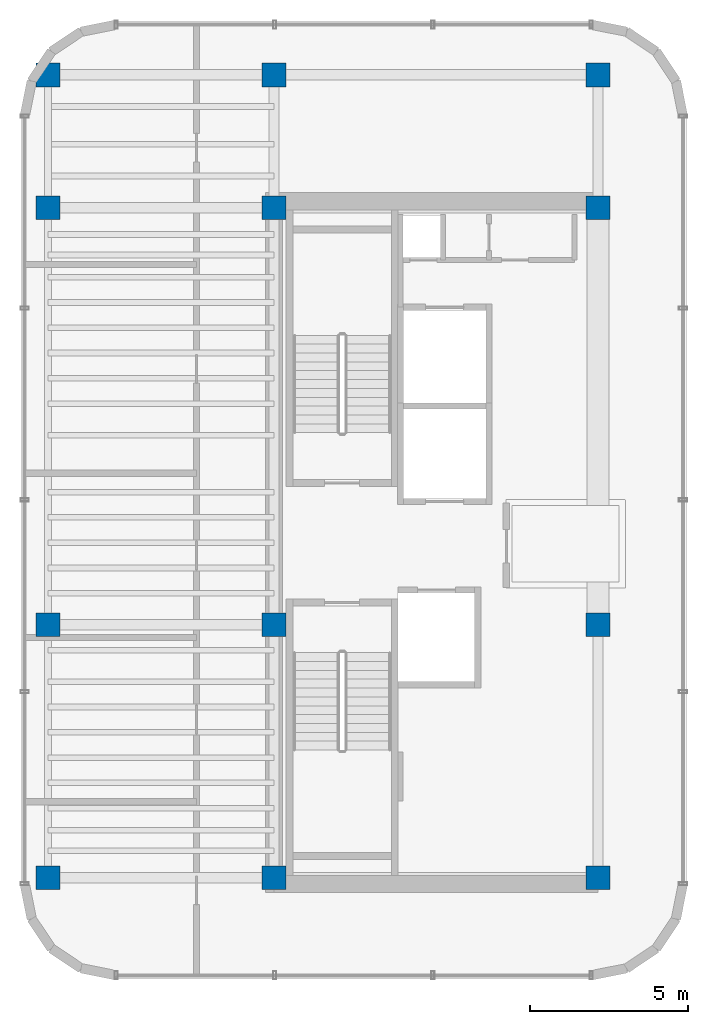
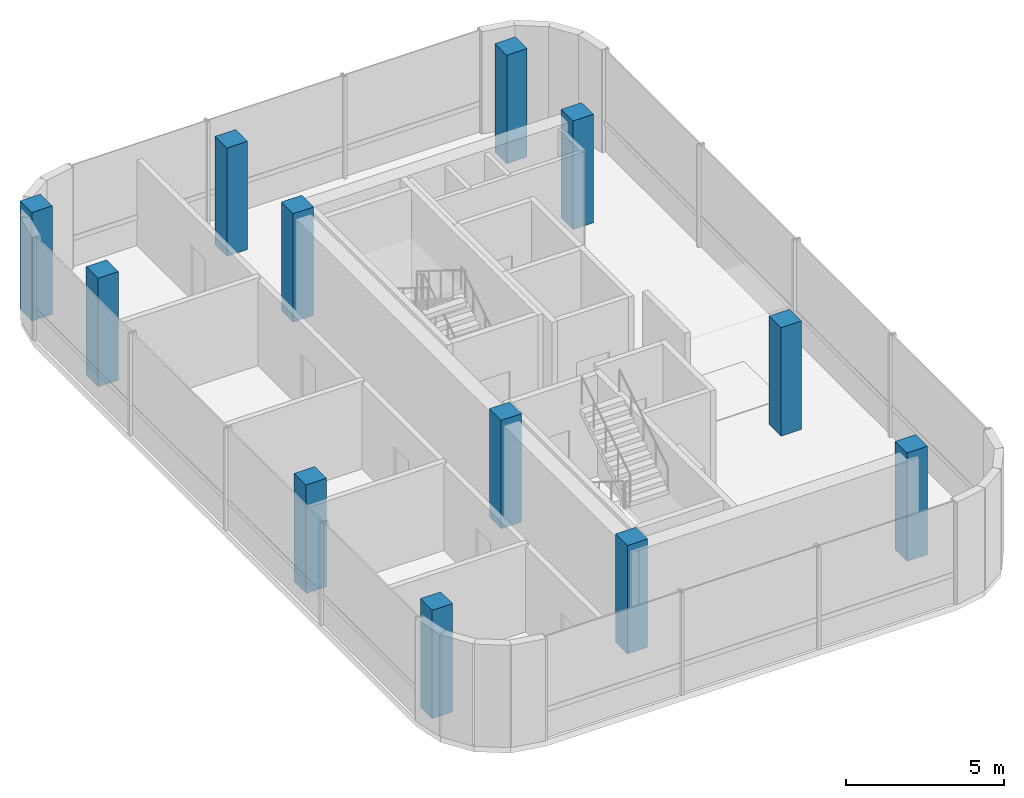
# One storey, part 1 of 11: 12 columns.
"""IFC4 building model written with IfcOpenShell, lengths in metres."""

from ifc_helpers import new_model, si_unit, direction, frame, origin, origin_2d, place, context, subcontext, project, spatial, rectangle, extrude, source, transform, mapped, material, material_profile, profile_set, type_object, element, save


model = new_model("IFC4")

# Units and contexts
model_context = context("Model", 3, precision=1e-05, world=origin(), true_north=direction((0.0, 1.0)))
body_context = subcontext(model_context, "Body", "Model", "MODEL_VIEW")
ifc_project = project(units=[si_unit("LENGTHUNIT", "METRE"), si_unit("AREAUNIT", "SQUARE_METRE"), si_unit("VOLUMEUNIT", "CUBIC_METRE"), si_unit("PLANEANGLEUNIT", "RADIAN"), si_unit("MASSUNIT", "GRAM", prefix="KILO")], contexts=[model_context])

# Site, building, storey
site_placement = place(None, origin())
site = spatial("IfcSite", under=ifc_project, at=site_placement, CompositionType="ELEMENT")
building_placement = place(site_placement, origin())
building = spatial("IfcBuilding", under=site, at=building_placement, Name="Valdorenza Pilgrim Sanctuary Tower", CompositionType="ELEMENT")
storey_placement = place(building_placement, frame((0.0, 0.0, 299.39990234375)))
storey = spatial("IfcBuildingStorey", under=building, at=storey_placement, Name="L78", CompositionType="ELEMENT", Elevation=299.39990234375)

# Columns
ifc_material = material(Name="Concrete C50/60", Category="concrete")
ifc_material_profile = material_profile(ifc_material, rectangle(XDim=0.75, YDim=0.75, at=origin_2d()), Name="RC 750x750")
ifc_profile_set = profile_set([ifc_material_profile], Name="Concrete C50/60")
column_type = type_object("IfcColumnType", Name="COL-CRW-750", PredefinedType="COLUMN", material=ifc_profile_set)
shared_shape = source(origin(), body_context, "Body", "SweptSolid", [
    extrude(rectangle(XDim=0.75, YDim=0.75, at=origin_2d()), origin(), (0.0, 0.0, 1.0), 4.2001953125),
])
for number, where, z_axis, x_axis, name in (
    (1, (-29.800048828125, -10.60009765625, 0.0), (0.0, 0.0, 1.0), (1.0, 0.0, 0.0), "L78 Perimeter Column WA-W-S1"),
    (2, (-22.64990234375, -10.60009765625, 0.0), (0.0, 0.0, 1.0), (1.0, 0.0, 0.0), "L78 Column CA-W-S1"),
    (3, (-12.39990234375, -10.60009765625, 0.0), (0.0, 0.0, 1.0), (1.0, 0.0, 0.0), "L78 Column CA-E-S1"),
    (4, (-29.800048828125, -2.60009765625, 0.0), (0.0, 0.0, 1.0), (1.0, 0.0, 0.0), "L78 Perimeter Column WA-W-M0"),
    (5, (-22.64990234375, -2.60009765625, 0.0), (0.0, 0.0, 1.0), (1.0, 0.0, 0.0), "L78 Column CA-W-M0"),
    (6, (-12.39990234375, -2.60009765625, 0.0), (0.0, 0.0, 1.0), (1.0, 0.0, 0.0), "L78 Column CA-E-M0"),
    (7, (-29.800048828125, 10.60009765625, 0.0), (0.0, 0.0, 1.0), (1.0, 0.0, 0.0), "L78 Perimeter Column WA-W-N1"),
    (8, (-22.64990234375, 10.60009765625, 0.0), (0.0, 0.0, 1.0), (1.0, 0.0, 0.0), "L78 Column CA-W-N1"),
    (9, (-12.39990234375, 10.60009765625, 0.0), (0.0, 0.0, 1.0), (1.0, 0.0, 0.0), "L78 Column CA-E-N1"),
    (10, (-29.800048828125, 14.800048828125, 0.0), (0.0, 0.0, 1.0), (1.0, 0.0, 0.0), "L78 Perimeter Column WA-W-N2"),
    (11, (-22.64990234375, 14.800048828125, 0.0), (0.0, 0.0, 1.0), (1.0, 0.0, 0.0), "L78 Column CA-W-N2"),
    (12, (-12.39990234375, 14.800048828125, 0.0), (0.0, 0.0, 1.0), (1.0, 0.0, 0.0), "L78 Column CA-E-N2"),
):
    element("IfcColumn", number, at=place(storey_placement, frame(where, z_axis=z_axis, x_axis=x_axis)), inside=storey, type_object=column_type, Name=name, PredefinedType="COLUMN", context=body_context, shape_type="MappedRepresentation", body=[
        mapped(shared_shape, transform((0.0, 0.0, 0.0), x_axis=(1.0, 0.0, 0.0), y_axis=(0.0, 1.0, 0.0), z_axis=(0.0, 0.0, 1.0), scale=1.0)),
    ])

save(model, "model.ifc")
